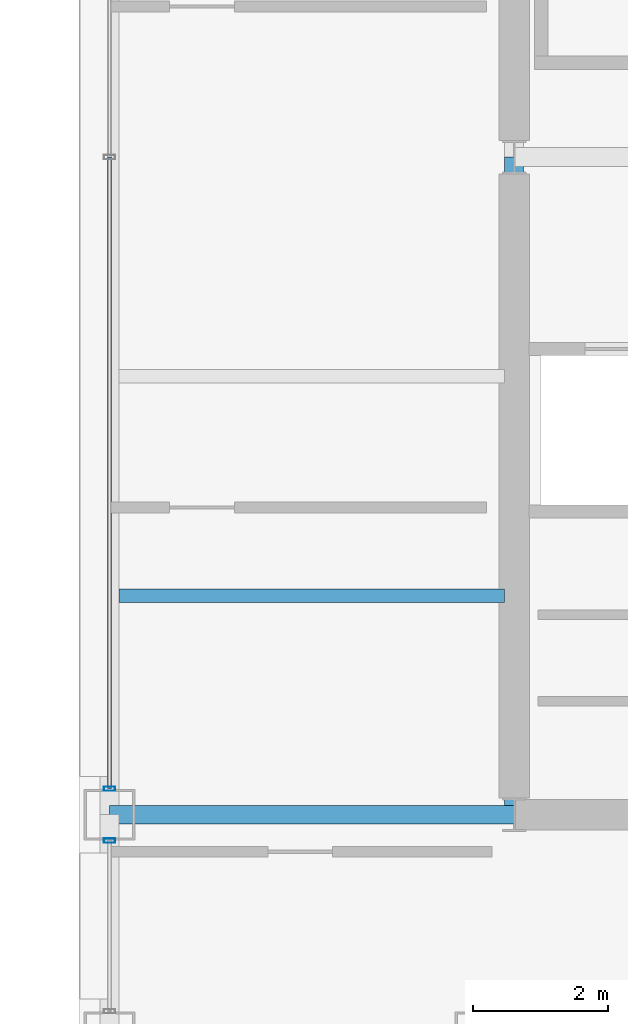
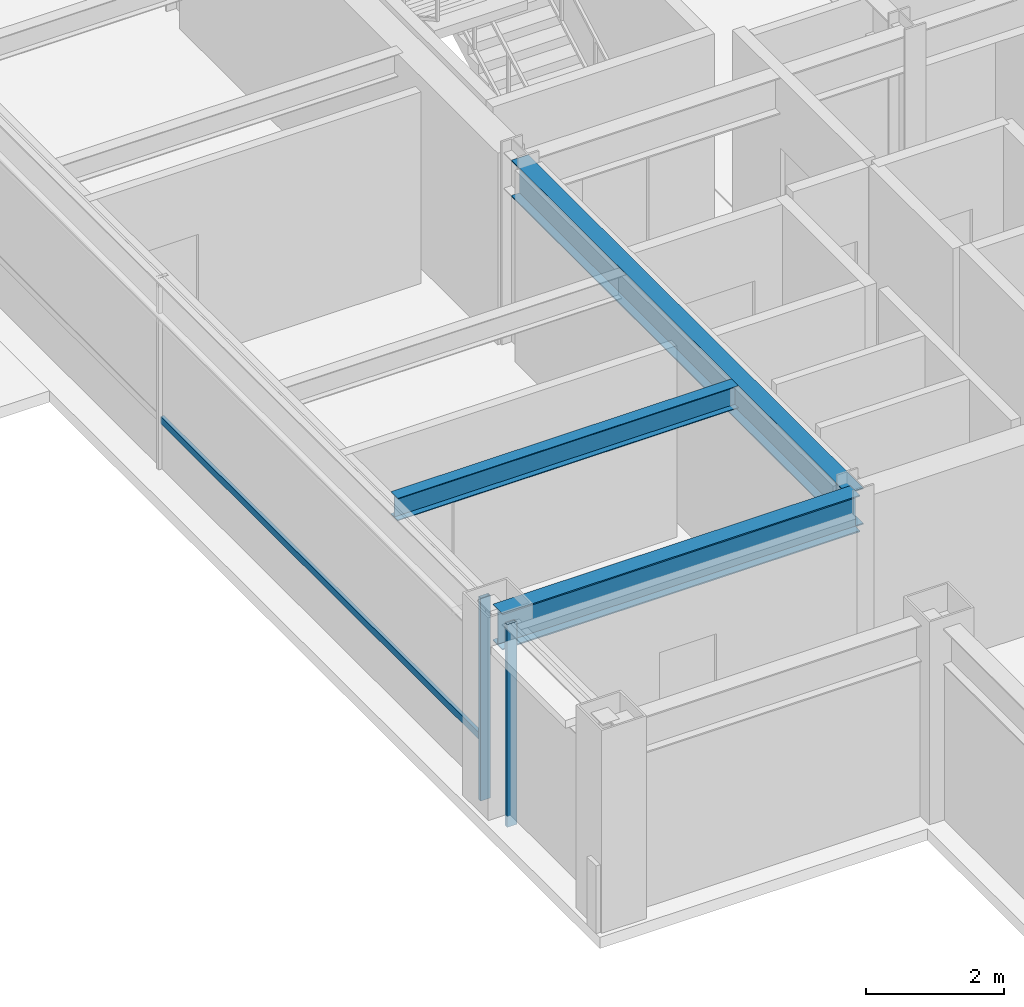
# One storey, part 4 of 26: 3 beams, 3 members, 2 elements without a shape of their own.
"""IFC4 building model written with IfcOpenShell, lengths in metres."""

from ifc_helpers import new_model, si_unit, direction, frame, origin, origin_2d, place, context, subcontext, project, spatial, hollow_rectangle, i_section, extrude, material, layer, layer_set, material_profile, profile_set, type_object, element, aggregate, save


model = new_model("IFC4")

# Units and contexts
model_context = context("Model", 3, precision=1e-05, world=origin(), true_north=direction((0.0, 1.0)))
body_context = subcontext(model_context, "Body", "Model", "MODEL_VIEW")
ifc_project = project(units=[si_unit("LENGTHUNIT", "METRE"), si_unit("AREAUNIT", "SQUARE_METRE"), si_unit("VOLUMEUNIT", "CUBIC_METRE"), si_unit("PLANEANGLEUNIT", "RADIAN"), si_unit("MASSUNIT", "GRAM", prefix="KILO")], contexts=[model_context])

# Site, building, storey
site_placement = place(None, origin())
site = spatial("IfcSite", under=ifc_project, at=site_placement, CompositionType="ELEMENT")
building_placement = place(site_placement, origin())
building = spatial("IfcBuilding", under=site, at=building_placement, Name="Brelmoor Portico Tower", CompositionType="ELEMENT")
storey_placement = place(building_placement, frame((0.0, 0.0, 180.300048828125)))
storey = spatial("IfcBuildingStorey", under=building, at=storey_placement, Name="L47", CompositionType="ELEMENT", Elevation=180.300048828125)

# Beams
ifc_material_1 = material(Name="Steel Q355B", Category="steel")
ifc_material_profile_1 = material_profile(ifc_material_1, i_section(OverallWidth=0.199951171875, OverallDepth=0.39990234375, WebThickness=0.008056640625, FlangeThickness=0.012939453125, at=origin_2d()), Name="HN 400x200x8x13")
ifc_profile_set_1 = profile_set([ifc_material_profile_1], Name="Steel Q355B")
beam_type_1 = type_object("IfcBeamType", Name="BM-JS-400", PredefinedType="JOIST", material=ifc_profile_set_1)
beam_1_placement = place(storey_placement, frame((-20.409912109375, -6.5, 3.199951171875), z_axis=(1.0, 0.0, 0.0), x_axis=(0.0, 1.0, 0.0)))
element("IfcBeam", 1, at=beam_1_placement, inside=storey, type_object=beam_type_1, Name="L47 Secondary Wing Joist JS-W05", PredefinedType="JOIST", context=body_context, shape_type="SweptSolid", body=[
    extrude(i_section(OverallWidth=0.199951171875, OverallDepth=0.39990234375, WebThickness=0.008056640625, FlangeThickness=0.012939453125, at=origin_2d()), origin(), (0.0, 0.0, 1.0), 5.719970703125),
])
ifc_material_profile_2 = material_profile(ifc_material_1, i_section(OverallWidth=0.280029296875, OverallDepth=0.64990234375, WebThickness=0.012939453125, FlangeThickness=0.02197265625, at=origin_2d()), Name="HN 650x280x13x22")
ifc_profile_set_2 = profile_set([ifc_material_profile_2], Name="Steel Q355B")
beam_type_2 = type_object("IfcBeamType", Name="BM-PG-650", PredefinedType="BEAM", material=ifc_profile_set_2)
beam_2_placement = place(storey_placement, frame((-14.550048828125, -9.75, 3.074951171875), z_axis=(0.0, 1.0, 0.0), x_axis=(-1.0, 0.0, 0.0)))
element("IfcBeam", 2, at=beam_2_placement, inside=storey, type_object=beam_type_2, Name="L47 Primary Floor Girder PG-01", PredefinedType="BEAM", context=body_context, shape_type="SweptSolid", body=[
    extrude(i_section(OverallWidth=0.280029296875, OverallDepth=0.64990234375, WebThickness=0.012939453125, FlangeThickness=0.02197265625, at=origin_2d()), origin(), (0.0, 0.0, 1.0), 9.75),
])
beam_3_placement = place(storey_placement, frame((-20.550048828125, -9.75, 3.074951171875), z_axis=(1.0, 0.0, 0.0), x_axis=(0.0, 1.0, 0.0)))
element("IfcBeam", 3, at=beam_3_placement, inside=storey, type_object=beam_type_2, Name="L47 Primary Floor Girder PG-11", PredefinedType="BEAM", context=body_context, shape_type="SweptSolid", body=[
    extrude(i_section(OverallWidth=0.280029296875, OverallDepth=0.64990234375, WebThickness=0.012939453125, FlangeThickness=0.02197265625, at=origin_2d()), origin(), (0.0, 0.0, 1.0), 6.0),
])

# Curtain wall, member
ifc_material_2 = material(Name="Anodised Aluminium Alloy 6063-T6", Category="aluminium")
ifc_layer_1 = layer(ifc_material_2, 0.179931640625)
ifc_layer_set_1 = layer_set([ifc_layer_1], Name="Anodised Aluminium Alloy 6063-T6")
curtain_wall_type_1 = type_object("IfcCurtainWallType", Name="CW-TOWER-Z3-XB", PredefinedType="NOTDEFINED", material=ifc_layer_set_1)
curtain_wall_1_placement = place(storey_placement, origin())
curtain_wall_1 = element("IfcCurtainWall", 4, at=curtain_wall_1_placement, inside=storey, type_object=curtain_wall_type_1, Name="L47 Curtain Wall CW-L47-03-1", PredefinedType="NOTDEFINED")
ifc_material_profile_3 = material_profile(ifc_material_2, hollow_rectangle(XDim=0.06494140625, YDim=0.1650390625, WallThickness=0.00390625, at=origin_2d()), Name="ALU MULLION 65x165")
ifc_profile_set_3 = profile_set([ifc_material_profile_3], Name="Anodised Aluminium Alloy 6063-T6")
member_type_1 = type_object("IfcMemberType", Name="MB-CW-MULL-165", PredefinedType="MULLION", material=ifc_profile_set_3)
member_1_placement = place(storey_placement, frame((-20.550048828125, -10.135009765625, -0.199951171875), z_axis=(0.0, 0.0, 1.0), x_axis=(0.0, 1.0, 0.0)))
member_1 = element("IfcMember", 5, at=member_1_placement, type_object=member_type_1, Name="CW-L47-03-1 Mullion 01", PredefinedType="MULLION", context=body_context, shape_type="SweptSolid", body=[
    extrude(hollow_rectangle(XDim=0.06494140625, YDim=0.1650390625, WallThickness=0.00390625, at=origin_2d()), origin(), (0.0, 0.0, 1.0), 3.599853515625),
])
aggregate(curtain_wall_1, [member_1])

# Curtain wall, members
ifc_layer_2 = layer(ifc_material_2, 0.179931640625)
ifc_layer_set_2 = layer_set([ifc_layer_2], Name="Anodised Aluminium Alloy 6063-T6")
curtain_wall_type_2 = type_object("IfcCurtainWallType", Name="CW-TOWER-Z3", PredefinedType="NOTDEFINED", material=ifc_layer_set_2)
curtain_wall_2_placement = place(storey_placement, origin())
curtain_wall_2 = element("IfcCurtainWall", 6, at=curtain_wall_2_placement, inside=storey, type_object=curtain_wall_type_2, Name="L47 Curtain Wall CW-L47-03-2", PredefinedType="NOTDEFINED")
member_2_placement = place(storey_placement, frame((-20.550048828125, -9.364990234375, -0.199951171875), z_axis=(0.0, 0.0, 1.0), x_axis=(0.0, 1.0, 0.0)))
member_2 = element("IfcMember", 7, at=member_2_placement, type_object=member_type_1, Name="CW-L47-03-2 Mullion 00", PredefinedType="MULLION", context=body_context, shape_type="SweptSolid", body=[
    extrude(hollow_rectangle(XDim=0.06494140625, YDim=0.1650390625, WallThickness=0.00390625, at=origin_2d()), origin(), (0.0, 0.0, 1.0), 3.599853515625),
])
ifc_material_profile_4 = material_profile(ifc_material_2, hollow_rectangle(XDim=0.06005859375, YDim=0.125, WallThickness=0.00341796875, at=origin_2d()), Name="ALU TRANSOM 60x125")
ifc_profile_set_4 = profile_set([ifc_material_profile_4], Name="Anodised Aluminium Alloy 6063-T6")
member_type_2 = type_object("IfcMemberType", Name="MB-CW-TRAN-125", PredefinedType="USERDEFINED", material=ifc_profile_set_4)
member_3_placement = place(storey_placement, frame((-20.550048828125, -9.364990234375, 0.849853515625), z_axis=(0.0, 1.0, 0.0), x_axis=(-1.0, 0.0, 0.0)))
member_3 = element("IfcMember", 8, at=member_3_placement, type_object=member_type_2, Name="CW-L47-03-2 Transom 1-00", ObjectType="TRANSOM", PredefinedType="USERDEFINED", context=body_context, shape_type="SweptSolid", body=[
    extrude(hollow_rectangle(XDim=0.06005859375, YDim=0.125, WallThickness=0.00341796875, at=origin_2d()), origin(), (0.0, 0.0, 1.0), 9.364990234375),
])
aggregate(curtain_wall_2, [member_2, member_3])

save(model, "model.ifc")
